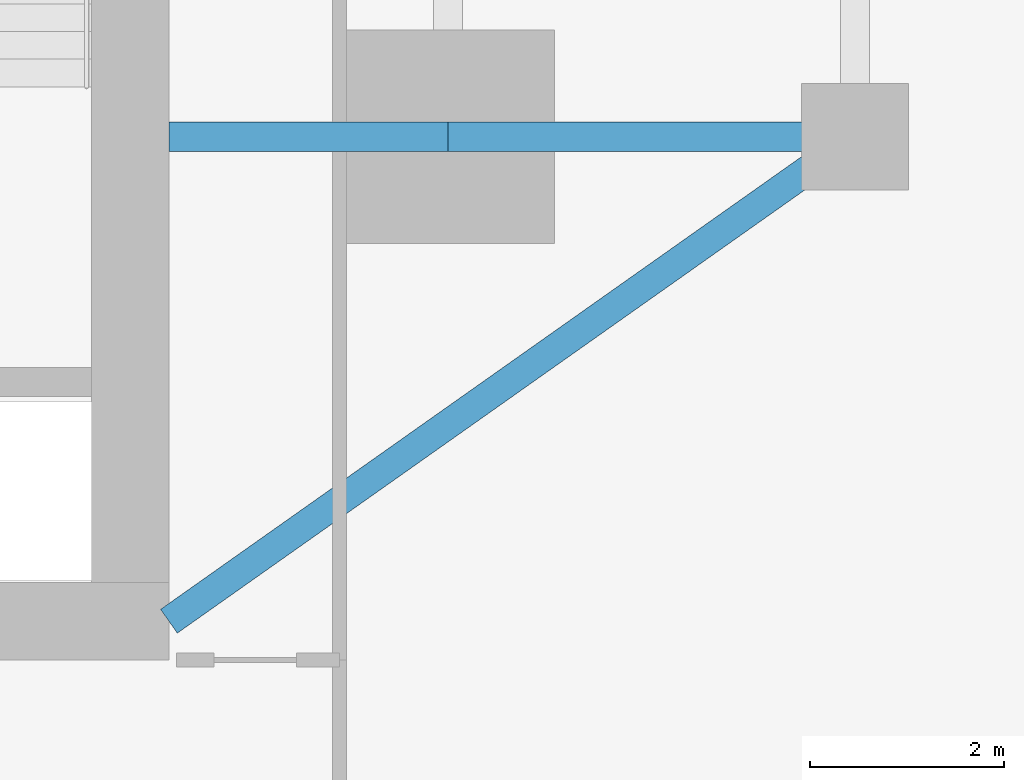
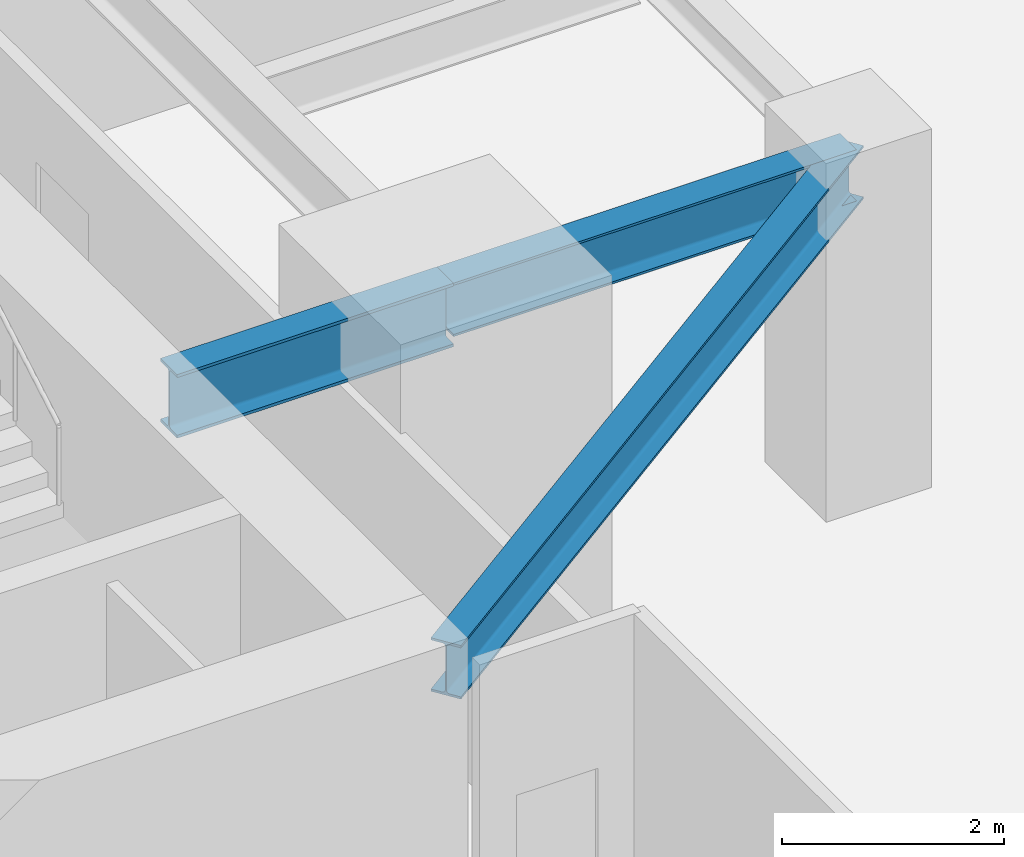
# One storey, part 11 of 28: 3 beams.
"""IFC4 building model written with IfcOpenShell, lengths in metres."""

from ifc_helpers import new_model, si_unit, direction, frame, origin, origin_2d, place, context, subcontext, project, spatial, i_section, extrude, source, transform, mapped, material, material_profile, profile_set, type_object, type_shapes, element, save


model = new_model("IFC4")

# Units and contexts
model_context = context("Model", 3, precision=1e-05, world=origin(), true_north=direction((0.0, 1.0)))
body_context = subcontext(model_context, "Body", "Model", "MODEL_VIEW")
ifc_project = project(units=[si_unit("LENGTHUNIT", "METRE"), si_unit("AREAUNIT", "SQUARE_METRE"), si_unit("VOLUMEUNIT", "CUBIC_METRE"), si_unit("PLANEANGLEUNIT", "RADIAN"), si_unit("MASSUNIT", "GRAM", prefix="KILO")], contexts=[model_context])

# Site, building, storey
site_placement = place(None, origin())
site = spatial("IfcSite", under=ifc_project, at=site_placement, CompositionType="ELEMENT")
building_placement = place(site_placement, origin())
building = spatial("IfcBuilding", under=site, at=building_placement, Name="Krantzveldt Concourse Tower", CompositionType="ELEMENT")
storey_placement = place(building_placement, frame((0.0, 0.0, 32.89990234375)))
storey = spatial("IfcBuildingStorey", under=building, at=storey_placement, Name="L07", CompositionType="ELEMENT", Elevation=32.89990234375)

# Beams
ifc_material_1 = material(Name="Steel S355J2", Category="steel")
ifc_material_profile_1 = material_profile(ifc_material_1, i_section(OverallWidth=0.300048828125, OverallDepth=0.699951171875, WebThickness=0.01708984375, FlangeThickness=0.031982421875, FilletRadius=0.027099609375, at=origin_2d()), Name="Steel S355J2", Category="steel")
ifc_profile_set_1 = profile_set([ifc_material_profile_1], Name="Steel S355J2 - HEB 700")
beam_type_1 = type_object("IfcBeamType", Name="BM-B-HEB700", PredefinedType="BEAM", material=ifc_profile_set_1)
shared_shape_1 = source(origin(), body_context, "Body", "SweptSolid", [
    extrude(i_section(OverallWidth=0.300048828125, OverallDepth=0.699951171875, WebThickness=0.01708984375, FlangeThickness=0.031982421875, FilletRadius=0.027099609375, at=origin_2d()), origin(), (0.0, 0.0, 1.0), 2.880126953125),
])
type_shapes(beam_type_1, [shared_shape_1])
beam_1_placement = place(storey_placement, frame((43.919921875, 15.89990234375, 3.320068359375), z_axis=(1.0, 0.0, 0.0), x_axis=(0.0, 1.0, 0.0)))
element("IfcBeam", 1, at=beam_1_placement, inside=storey, type_object=beam_type_1, Name="L07 Tower Girder BG-CE1", PredefinedType="BEAM", context=body_context, shape_type="MappedRepresentation", body=[
    mapped(shared_shape_1, transform((0.0, 0.0, 0.0), x_axis=(1.0, 0.0, 0.0), y_axis=(0.0, 1.0, 0.0), z_axis=(0.0, 0.0, 1.0), scale=1.0)),
])
ifc_material_2 = material(Name="Steel S355JR", Category="steel")
ifc_material_profile_2 = material_profile(ifc_material_2, i_section(OverallWidth=0.300048828125, OverallDepth=0.590087890625, WebThickness=0.012939453125, FlangeThickness=0.02490234375, FilletRadius=0.027099609375, at=origin_2d()), Name="Steel S355JR", Category="steel")
ifc_profile_set_2 = profile_set([ifc_material_profile_2], Name="Steel S355JR - HEA 600")
beam_type_2 = type_object("IfcBeamType", Name="BM-B-HEA600", PredefinedType="BEAM", material=ifc_profile_set_2)
shared_shape_2 = source(origin(), body_context, "Body", "SweptSolid", [
    extrude(i_section(OverallWidth=0.300048828125, OverallDepth=0.590087890625, WebThickness=0.012939453125, FlangeThickness=0.02490234375, FilletRadius=0.027099609375, at=origin_2d()), origin(), (0.0, 0.0, 1.0), 4.199951171875),
])
beam_2_placement = place(storey_placement, frame((46.800048828125, 15.89990234375, 3.375), z_axis=(1.0, 0.0, 0.0), x_axis=(0.0, 1.0, 0.0)))
element("IfcBeam", 2, at=beam_2_placement, inside=storey, type_object=beam_type_2, Name="L07 Tower Girder BR-RR1", PredefinedType="BEAM", context=body_context, shape_type="MappedRepresentation", body=[
    mapped(shared_shape_2, transform((0.0, 0.0, 0.0), x_axis=(1.0, 0.0, 0.0), y_axis=(0.0, 1.0, 0.0), z_axis=(0.0, 0.0, 1.0), scale=1.0)),
])
shared_shape_3 = source(origin(), body_context, "Body", "SweptSolid", [
    extrude(i_section(OverallWidth=0.300048828125, OverallDepth=0.590087890625, WebThickness=0.012939453125, FlangeThickness=0.02490234375, FilletRadius=0.027099609375, at=origin_2d()), origin(), (0.0, 0.0, 1.0), 8.667724609375),
])
type_shapes(beam_type_2, [shared_shape_2, shared_shape_3])
beam_3_placement = place(storey_placement, frame((51.0, 15.89990234375, 3.375), z_axis=(-0.81684294656, -0.576860122261, 0.0), x_axis=(0.576860122261, -0.81684294656, 0.0)))
element("IfcBeam", 3, at=beam_3_placement, inside=storey, type_object=beam_type_2, Name="L07 Tower Girder BR-CSE", PredefinedType="BEAM", context=body_context, shape_type="MappedRepresentation", body=[
    mapped(shared_shape_3, transform((0.0, 0.0, 0.0), x_axis=(1.0, 0.0, 0.0), y_axis=(0.0, 1.0, 0.0), z_axis=(0.0, 0.0, 1.0), scale=1.0)),
])

save(model, "model.ifc")
